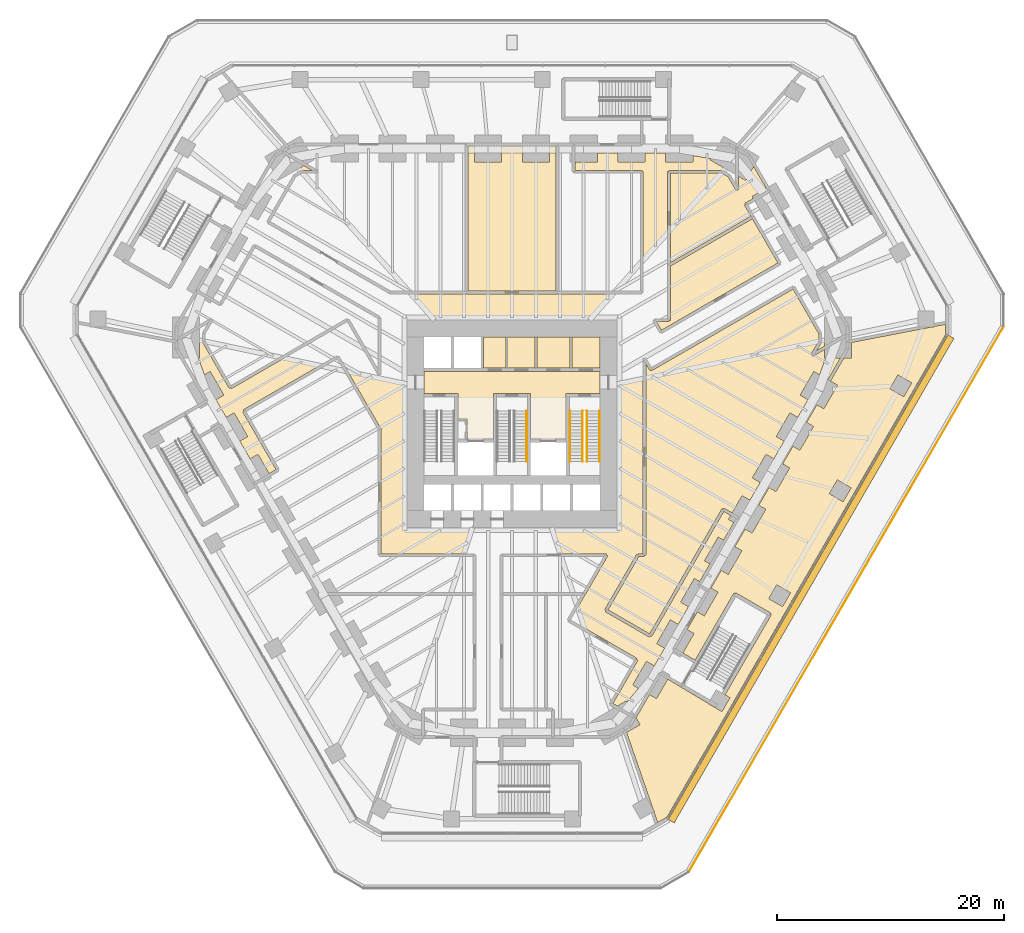
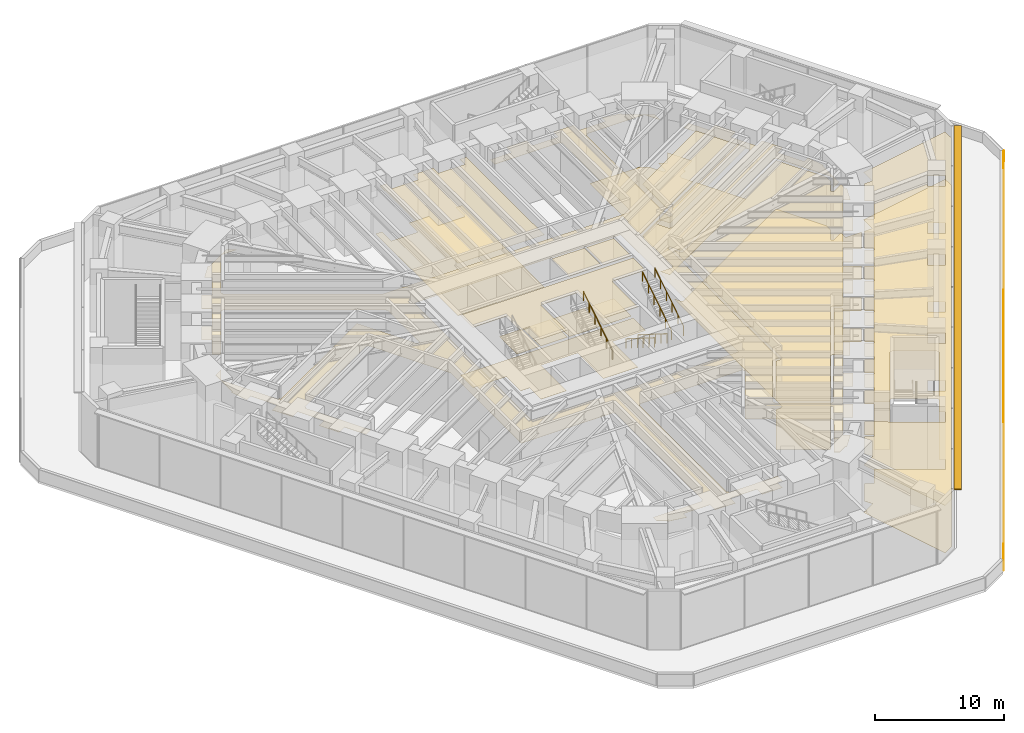
# One storey, part 23 of 24: 19 coverings, 5 railings, 1 shading device.
"""IFC4 building model written with IfcOpenShell, lengths in metres."""

from ifc_helpers import new_model, si_unit, direction, frame, frame_2d, origin, origin_2d, place, context, subcontext, project, spatial, polyline, rectangle, circle, outline, extrude, material, layer, layer_set, type_object, element, save


model = new_model("IFC4")

# Units and contexts
model_context = context("Model", 3, precision=1e-05, world=origin(), true_north=direction((0.0, 1.0)))
body_context = subcontext(model_context, "Body", "Model", "MODEL_VIEW")
ifc_project = project(units=[si_unit("LENGTHUNIT", "METRE"), si_unit("AREAUNIT", "SQUARE_METRE"), si_unit("VOLUMEUNIT", "CUBIC_METRE"), si_unit("PLANEANGLEUNIT", "RADIAN"), si_unit("MASSUNIT", "GRAM", prefix="KILO")], contexts=[model_context])

# Site, building, storey
site_placement = place(None, origin())
site = spatial("IfcSite", under=ifc_project, at=site_placement, CompositionType="ELEMENT")
building_placement = place(site_placement, origin())
building = spatial("IfcBuilding", under=site, at=building_placement, Name="Sandreach Pilgrim Tower", CompositionType="ELEMENT")
storey_placement = place(building_placement, frame((0.0, 0.0, 12.0)))
storey = spatial("IfcBuildingStorey", under=building, at=storey_placement, Name="L02", CompositionType="ELEMENT", Elevation=12.0)

# Coverings
ifc_material_1 = material(Name="Acoustic mineral fibre tile ceiling on a suspension grid", Category="mineral")
ifc_layer_1 = layer(ifc_material_1, 0.02001953125)
ifc_layer_set_1 = layer_set([ifc_layer_1], Name="Acoustic mineral tile ceiling")
covering_type_1 = type_object("IfcCoveringType", Name="Acoustic mineral tile ceiling", PredefinedType="CEILING", material=ifc_layer_set_1)
covering_1_placement = place(storey_placement, frame((0.0, 0.0, 4.60009765625)))
element("IfcCovering", 1, at=covering_1_placement, inside=storey, type_object=covering_type_1, Name="Ceiling 02C Upper prayer foyer", PredefinedType="CEILING", context=body_context, shape_type="SweptSolid", body=[
    extrude(outline(polyline([(-27.5126953125, 4.26220703125), (-27.5126953125, 6.868896484375), (-26.77490234375, 7.2958984375), (-27.489990234375, 6.067138671875), (-24.908203125, 1.587646484375), (-24.800048828125, 1.64990234375), (-24.737548828125, 1.541748046875), (-14.505859375, 7.44921875), (-11.7783203125, 2.717529296875), (-11.544921875, 2.780029296875), (-11.544921875, 7.7900390625), (-11.670166015625, 7.7900390625), (-11.607666015625, 7.898193359375), (-22.617431640625, 14.248291015625), (-22.679931640625, 14.14013671875), (-22.7880859375, 14.20263671875), (-25.725830078125, 9.12060546875), (-26.342041015625, 9.476318359375), (-25.370849609375, 11.157958984375), (-26.063720703125, 11.55810546875), (-25.152587890625, 13.13623046875), (-24.459716796875, 12.736328125), (-23.259765625, 14.814697265625), (-23.95263671875, 15.214599609375), (-23.04150390625, 16.79296875), (-22.3486328125, 16.392822265625), (-21.148681640625, 18.47119140625), (-21.654541015625, 18.763427734375), (-20.623291015625, 19.99609375), (-20.565185546875, 19.8955078125), (-18.325439453125, 21.188720703125), (-17.607421875, 20.77490234375), (-18.994384765625, 20.77490234375), (-21.588134765625, 16.282470703125), (-21.47998046875, 16.219970703125), (-21.54248046875, 16.11181640625), (-10.763427734375, 9.89501953125), (11.429931640625, 9.89501953125), (11.429931640625, 10.02001953125), (11.554931640625, 10.02001953125), (11.554931640625, 20.64990234375), (11.429931640625, 20.64990234375), (11.429931640625, 20.77490234375), (5.554931640625, 20.77490234375), (5.554931640625, 21.48876953125), (7.514892578125, 21.48876953125), (7.514892578125, 22.288818359375), (9.32470703125, 22.288818359375), (9.32470703125, 21.48876953125), (11.724853515625, 21.48876953125), (11.724853515625, 22.288818359375), (13.53466796875, 22.288818359375), (13.53466796875, 21.48876953125), (15.934814453125, 21.48876953125), (15.934814453125, 22.072265625), (17.505859375, 21.796875), (17.447509765625, 21.695556640625), (19.69775390625, 20.396484375), (19.702392578125, 19.55029296875), (18.993896484375, 20.77490234375), (13.830078125, 20.77490234375), (13.830078125, 20.64990234375), (13.705078125, 20.64990234375), (13.705078125, 7.695068359375), (12.5, 7.695068359375), (12.5, 7.570068359375), (12.391845703125, 7.507080078125), (13.001953125, 6.457275390625), (13.111328125, 6.517822265625), (13.172607421875, 6.411865234375), (23.652587890625, 12.461669921875), (23.590087890625, 12.570068359375), (23.6982421875, 12.632568359375), (20.760498046875, 17.714111328125), (21.379638671875, 18.0712890625), (22.3486328125, 16.392822265625), (23.04150390625, 16.79296875), (23.95263671875, 15.214599609375), (23.259765625, 14.814697265625), (24.459716796875, 12.736328125), (25.152587890625, 13.13623046875), (26.063720703125, 11.55810546875), (25.370849609375, 11.157958984375), (26.571044921875, 9.07958984375), (27.076904296875, 9.37158203125), (27.628662109375, 7.862060546875), (27.5126953125, 7.862060546875), (27.5126953125, 5.280029296875), (26.793701171875, 4.863525390625), (27.48974609375, 6.064208984375), (24.898193359375, 10.552490234375), (24.7900390625, 10.489990234375), (24.7275390625, 10.598388671875), (12.275390625, 3.410400390625), (11.778076171875, 4.262939453125), (11.544921875, 4.199951171875), (11.544921875, -12.9951171875), (11.10009765625, -12.9951171875), (11.10009765625, -13.131591796875), (10.9716796875, -13.0576171875), (8.171630859375, -17.91748046875), (8.280029296875, -17.97998046875), (8.2177734375, -18.08837890625), (12.107666015625, -20.328369140625), (12.169921875, -20.219970703125), (12.2783203125, -20.282470703125), (18.64599609375, -9.26025390625), (19.2626953125, -9.613525390625), (19.062255859375, -9.960693359375), (19.53759765625, -10.235107421875), (18.632568359375, -11.802490234375), (18.1572265625, -11.528076171875), (16.957275390625, -13.6064453125), (17.432373046875, -13.880859375), (16.52734375, -15.4482421875), (16.05224609375, -15.174072265625), (14.852294921875, -17.25244140625), (15.545166015625, -17.65234375), (14.64013671875, -19.219970703125), (13.947265625, -18.81982421875), (12.747314453125, -20.8984375), (13.440185546875, -21.29833984375), (12.53515625, -22.86572265625), (11.842529296875, -22.4658203125), (10.642333984375, -24.544189453125), (11.147705078125, -24.8359375), (10.12353515625, -26.05908203125), (10.065185546875, -25.957763671875), (9.283447265625, -26.4091796875), (8.8798828125, -26.175537109375), (11.078369140625, -22.362548828125), (10.951904296875, -22.28955078125), (11.00244140625, -22.20166015625), (5.14111328125, -18.814453125), (6.439453125, -16.583251953125), (6.452880859375, -16.5908203125), (8.418212890625, -13.182373046875), (8.31005859375, -13.1201171875), (8.31005859375, -12.9951171875), (-0.909912109375, -12.9951171875), (-0.909912109375, -13.1201171875), (-1.034912109375, -13.1201171875), (-1.034912109375, -26.7099609375), (-0.9111328125, -26.7099609375), (-0.909423828125, -26.8349609375), (3.485107421875, -26.81494140625), (3.485107421875, -27.55078125), (3.022216796875, -27.55078125), (3.022216796875, -28.350830078125), (1.199951171875, -28.350830078125), (1.199951171875, -27.55078125), (-1.199951171875, -27.55078125), (-1.199951171875, -28.350830078125), (-3.022216796875, -28.350830078125), (-3.022216796875, -27.55078125), (-5.42236328125, -27.55078125), (-5.42236328125, -28.135009765625), (-7.00537109375, -27.858154296875), (-6.947509765625, -27.7578125), (-7.705078125, -27.3203125), (-7.705078125, -26.815673828125), (-3.310546875, -26.8349609375), (-3.31005859375, -26.7099609375), (-3.18505859375, -26.7099609375), (-3.18505859375, -13.1201171875), (-3.31005859375, -13.1201171875), (-3.31005859375, -12.9951171875), (-11.544921875, -12.9951171875), (-11.544921875, -1.986572265625), (-15.231689453125, 4.402587890625), (-15.340087890625, 4.340087890625), (-15.402587890625, 4.4482421875), (-23.66259765625, -0.32177734375), (-23.60009765625, -0.429931640625), (-23.708251953125, -0.492431640625), (-20.770751953125, -5.57421875), (-21.388916015625, -5.930908203125), (-22.3671875, -4.236328125), (-23.06005859375, -4.63623046875), (-23.965087890625, -3.06884765625), (-23.272216796875, -2.6689453125), (-24.47216796875, -0.59033203125), (-25.1650390625, -0.990478515625), (-26.070068359375, 0.5771484375), (-25.377197265625, 0.97705078125), (-26.5771484375, 3.055419921875), (-27.08251953125, 2.763671875), (-27.629638671875, 4.26220703125), (-27.5126953125, 4.26220703125)]), holes=[polyline([(9.27001953125, -10.719970703125), (9.27001953125, 7.6201171875), (-9.27001953125, 7.6201171875), (-9.27001953125, -10.719970703125), (9.27001953125, -10.719970703125)])]), origin(), (0.0, 0.0, 1.0), 0.02001953125),
])
ifc_material_2 = material(Name="Nylon carpet tile on the slab", Category="textile")
ifc_layer_2 = layer(ifc_material_2, 0.008056640625)
ifc_layer_set_2 = layer_set([ifc_layer_2], Name="Carpet tile")
covering_type_2 = type_object("IfcCoveringType", Name="Carpet tile", PredefinedType="FLOORING", material=ifc_layer_set_2)
covering_2_placement = place(storey_placement, origin())
element("IfcCovering", 2, at=covering_2_placement, inside=storey, type_object=covering_type_2, Name="Floor finish 0203 Study room", PredefinedType="FLOORING", context=body_context, shape_type="SweptSolid", body=[
    extrude(outline(polyline([(12.487548828125, -35.6796875), (12.514404296875, -35.664306640625), (12.4345703125, -35.5263671875), (10.0849609375, -28.717529296875), (11.26513671875, -28.0361328125), (10.9169921875, -27.43310546875), (12.101806640625, -25.38671875), (12.720947265625, -25.744140625), (13.71142578125, -24.028564453125), (17.284912109375, -26.16357421875), (17.2744140625, -26.181884765625), (18.48681640625, -26.8818359375), (19.186767578125, -25.66943359375), (18.751953125, -25.418212890625), (22.805419921875, -18.397216796875), (22.7626953125, -18.37255859375), (22.81201171875, -18.28564453125), (22.7255859375, -18.235595703125), (22.75048828125, -18.1923828125), (19.719482421875, -16.4423828125), (19.6943359375, -16.485595703125), (19.60791015625, -16.435546875), (19.55712890625, -16.521728515625), (19.5146484375, -16.497314453125), (16.126708984375, -22.365234375), (15.037109375, -21.732421875), (16.02587890625, -20.019775390625), (15.409423828125, -19.6640625), (16.315185546875, -18.096923828125), (16.930908203125, -18.452392578125), (18.130859375, -16.3740234375), (17.51611328125, -16.01904296875), (18.4208984375, -14.45166015625), (19.03564453125, -14.806640625), (20.23583984375, -12.72802734375), (19.620849609375, -12.373046875), (20.525634765625, -10.8056640625), (21.140625, -11.16064453125), (22.3408203125, -9.082275390625), (21.7255859375, -8.72705078125), (22.63037109375, -7.159423828125), (23.24560546875, -7.5146484375), (24.445556640625, -5.436279296875), (23.830322265625, -5.0810546875), (24.735107421875, -3.513427734375), (25.3505859375, -3.868896484375), (26.550537109375, -1.790283203125), (25.93505859375, -1.43505859375), (26.83984375, 0.132568359375), (27.45556640625, -0.222900390625), (28.655517578125, 1.85546875), (28.039794921875, 2.211181640625), (29.223876953125, 4.26220703125), (29.91259765625, 4.26220703125), (29.91259765625, 5.62451171875), (37.01123046875, 6.994384765625), (37.143310546875, 6.994384765625), (37.143310546875, 7.019775390625), (38.156982421875, 7.21533203125), (38.156982421875, 6.267822265625), (13.650390625, -36.1787109375), (12.824462890625, -36.655517578125), (12.487548828125, -35.6796875)]), holes=[polyline([(34.490966796875, 0.83837890625), (35.191162109375, 2.051025390625), (33.978515625, 2.7509765625), (33.278564453125, 1.53857421875), (34.490966796875, 0.83837890625)]), polyline([(29.856201171875, -7.189208984375), (28.643798828125, -6.4892578125), (27.94384765625, -7.70166015625), (29.15625, -8.401611328125), (29.856201171875, -7.189208984375)]), polyline([(24.521484375, -16.42919921875), (23.30908203125, -15.729248046875), (22.609130859375, -16.941650390625), (23.821533203125, -17.6416015625), (24.521484375, -16.42919921875)])]), origin(), (0.0, 0.0, 1.0), 0.008056640625),
])
covering_3_placement = place(storey_placement, origin())
element("IfcCovering", 3, at=covering_3_placement, inside=storey, type_object=covering_type_2, Name="Floor finish 02R1 Quran study office", PredefinedType="FLOORING", context=body_context, shape_type="SweptSolid", body=[
    extrude(outline(polyline([(3.875, 10.14501953125), (-3.875, 10.14501953125), (-3.875, 22.925048828125), (-3.304931640625, 22.925048828125), (-3.304931640625, 21.48876953125), (-0.905029296875, 21.48876953125), (-0.905029296875, 22.925048828125), (0.905029296875, 22.925048828125), (0.905029296875, 21.48876953125), (3.304931640625, 21.48876953125), (3.304931640625, 22.925048828125), (3.875, 22.925048828125), (3.875, 10.14501953125)])), origin(), (0.0, 0.0, 1.0), 0.008056640625),
])
covering_4_placement = place(storey_placement, origin())
element("IfcCovering", 4, at=covering_4_placement, inside=storey, type_object=covering_type_2, Name="Floor finish 02B6 Women's waiting lounge", PredefinedType="FLOORING", context=body_context, shape_type="SweptSolid", body=[
    extrude(outline(polyline([(11.635009765625, -13.1201171875), (11.794921875, -13.1201171875), (11.794921875, 3.737548828125), (12.1220703125, 3.177001953125), (12.29248046875, 3.1318359375), (24.744140625, 10.3193359375), (27.014892578125, 6.386474609375), (27.014892578125, 5.74365234375), (26.341796875, 4.582763671875), (26.5126953125, 4.411865234375), (27.5126953125, 4.9912109375), (27.5126953125, 4.26220703125), (28.93505859375, 4.26220703125), (27.8232421875, 2.336181640625), (26.5771484375, 3.055419921875), (25.377197265625, 0.97705078125), (26.623291015625, 0.257568359375), (25.718505859375, -1.31005859375), (24.47216796875, -0.59033203125), (23.272216796875, -2.6689453125), (24.5185546875, -3.388427734375), (23.61376953125, -4.9560546875), (22.3671875, -4.236328125), (21.167236328125, -6.314697265625), (22.413818359375, -7.034423828125), (21.509033203125, -8.60205078125), (20.26220703125, -7.882080078125), (19.3876953125, -9.39697265625), (18.662109375, -8.9814453125), (18.601318359375, -9.087890625), (18.49169921875, -9.027587890625), (12.124267578125, -20.04931640625), (8.45068359375, -17.93408203125), (11.15234375, -13.2451171875), (11.635009765625, -13.2451171875), (11.635009765625, -13.1201171875)])), origin(), (0.0, 0.0, 1.0), 0.008056640625),
])
covering_5_placement = place(storey_placement, origin())
element("IfcCovering", 5, at=covering_5_placement, inside=storey, type_object=covering_type_2, Name="Floor finish 02N1 Quran study room", PredefinedType="FLOORING", context=body_context, shape_type="SweptSolid", body=[
    extrude(outline(polyline([(13.830078125, 7.570068359375), (13.955078125, 7.570068359375), (13.955078125, 12.347900390625), (21.16748046875, 16.51123046875), (23.419189453125, 12.61572265625), (13.155517578125, 6.690673828125), (12.71728515625, 7.445068359375), (13.830078125, 7.445068359375), (13.830078125, 7.570068359375)])), origin(), (0.0, 0.0, 1.0), 0.008056640625),
])
covering_6_placement = place(storey_placement, origin())
element("IfcCovering", 6, at=covering_6_placement, inside=storey, type_object=covering_type_2, Name="Floor finish 02FL Fire service lift lobby", PredefinedType="FLOORING", context=body_context, shape_type="SweptSolid", body=[
    extrude(outline(polyline([(-3.949951171875, -1.125), (-4.75, -1.125), (-4.75, 1.10009765625), (-7.75, 1.10009765625), (-7.75, 3.050048828125), (7.75, 3.050048828125), (7.75, 1.10009765625), (4.75, 1.10009765625), (4.75, -2.89990234375), (1.64990234375, -2.89990234375), (1.64990234375, 1.10009765625), (-1.64990234375, 1.10009765625), (-1.64990234375, -2.89990234375), (-3.949951171875, -2.89990234375), (-3.949951171875, -1.125)])), origin(), (0.0, 0.0, 1.0), 0.008056640625),
])
covering_7_placement = place(storey_placement, origin())
element("IfcCovering", 7, at=covering_7_placement, inside=storey, type_object=covering_type_2, Name="Floor finish 02K3 Storage room", PredefinedType="FLOORING", context=body_context, shape_type="SweptSolid", body=[
    extrude(outline(polyline([(2.1875, 6.10009765625), (5.112548828125, 6.10009765625), (5.112548828125, 3.35009765625), (2.1875, 3.35009765625), (2.1875, 6.10009765625)])), origin(), (0.0, 0.0, 1.0), 0.008056640625),
])
covering_8_placement = place(storey_placement, origin())
element("IfcCovering", 8, at=covering_8_placement, inside=storey, type_object=covering_type_2, Name="Floor finish 02K4 Refuse room", PredefinedType="FLOORING", context=body_context, shape_type="SweptSolid", body=[
    extrude(outline(polyline([(5.262451171875, 6.10009765625), (7.75, 6.10009765625), (7.75, 3.35009765625), (5.262451171875, 3.35009765625), (5.262451171875, 6.10009765625)])), origin(), (0.0, 0.0, 1.0), 0.008056640625),
])
ifc_material_3 = material(Name="Epoxy resin floor on the slab", Category="plastic")
ifc_layer_3 = layer(ifc_material_3, 0.00390625)
ifc_layer_set_3 = layer_set([ifc_layer_3], Name="Epoxy resin floor")
covering_type_3 = type_object("IfcCoveringType", Name="Epoxy resin floor", PredefinedType="FLOORING", material=ifc_layer_set_3)
covering_9_placement = place(storey_placement, origin())
element("IfcCovering", 9, at=covering_9_placement, inside=storey, type_object=covering_type_3, Name="Floor finish 02B1 Shoe store", PredefinedType="FLOORING", context=body_context, shape_type="SweptSolid", body=[
    extrude(outline(polyline([(19.955078125, 19.080810546875), (19.948486328125, 20.251708984375), (20.565185546875, 19.8955078125), (21.273193359375, 21.121826171875), (22.392578125, 19.189453125), (21.148681640625, 18.47119140625), (21.254638671875, 18.287841796875), (20.525390625, 17.866943359375), (20.562744140625, 17.744384765625), (20.481689453125, 17.69775390625), (21.03955078125, 16.725830078125), (13.955078125, 12.636474609375), (13.955078125, 20.52490234375), (18.476318359375, 20.52490234375), (19.03857421875, 20.198486328125), (19.721923828125, 19.017333984375), (19.955078125, 19.080810546875)])), origin(), (0.0, 0.0, 1.0), 0.00390625),
])
covering_10_placement = place(storey_placement, origin())
element("IfcCovering", 10, at=covering_10_placement, inside=storey, type_object=covering_type_3, Name="Floor finish 02K1 Back of house store", PredefinedType="FLOORING", context=body_context, shape_type="SweptSolid", body=[
    extrude(outline(polyline([(-2.5, 6.10009765625), (-0.52490234375, 6.10009765625), (-0.52490234375, 3.35009765625), (-2.5, 3.35009765625), (-2.5, 6.10009765625)])), origin(), (0.0, 0.0, 1.0), 0.00390625),
])
covering_11_placement = place(storey_placement, origin())
element("IfcCovering", 11, at=covering_11_placement, inside=storey, type_object=covering_type_3, Name="Floor finish 02K2 Cleaners store", PredefinedType="FLOORING", context=body_context, shape_type="SweptSolid", body=[
    extrude(outline(polyline([(-0.375, 6.10009765625), (2.03759765625, 6.10009765625), (2.03759765625, 3.35009765625), (-0.375, 3.35009765625), (-0.375, 6.10009765625)])), origin(), (0.0, 0.0, 1.0), 0.00390625),
])
ifc_material_4 = material(Name="Gypsum board suspended ceiling on a steel grid", Category="steel")
ifc_layer_4 = layer(ifc_material_4, 0.012939453125)
ifc_layer_set_4 = layer_set([ifc_layer_4], Name="Gypsum board suspended ceiling")
covering_type_4 = type_object("IfcCoveringType", Name="Gypsum board suspended ceiling", PredefinedType="CEILING", material=ifc_layer_set_4)
covering_12_placement = place(storey_placement, frame((0.0, 0.0, 4.5)))
element("IfcCovering", 12, at=covering_12_placement, inside=storey, type_object=covering_type_4, Name="Ceiling 0203 Study room", PredefinedType="CEILING", context=body_context, shape_type="SweptSolid", body=[
    extrude(outline(polyline([(12.487548828125, -35.6796875), (12.514404296875, -35.664306640625), (12.4345703125, -35.5263671875), (10.0849609375, -28.717529296875), (11.26513671875, -28.0361328125), (10.9169921875, -27.43310546875), (12.101806640625, -25.38671875), (12.720947265625, -25.744140625), (13.71142578125, -24.028564453125), (17.284912109375, -26.16357421875), (17.2744140625, -26.181884765625), (18.48681640625, -26.8818359375), (19.186767578125, -25.66943359375), (18.751953125, -25.418212890625), (22.805419921875, -18.397216796875), (22.7626953125, -18.37255859375), (22.81201171875, -18.28564453125), (22.7255859375, -18.235595703125), (22.75048828125, -18.1923828125), (19.719482421875, -16.4423828125), (19.6943359375, -16.485595703125), (19.60791015625, -16.435546875), (19.55712890625, -16.521728515625), (19.5146484375, -16.497314453125), (16.126708984375, -22.365234375), (15.037109375, -21.732421875), (16.02587890625, -20.019775390625), (15.409423828125, -19.6640625), (16.315185546875, -18.096923828125), (16.930908203125, -18.452392578125), (18.130859375, -16.3740234375), (17.51611328125, -16.01904296875), (18.4208984375, -14.45166015625), (19.03564453125, -14.806640625), (20.23583984375, -12.72802734375), (19.620849609375, -12.373046875), (20.525634765625, -10.8056640625), (21.140625, -11.16064453125), (22.3408203125, -9.082275390625), (21.7255859375, -8.72705078125), (22.63037109375, -7.159423828125), (23.24560546875, -7.5146484375), (24.445556640625, -5.436279296875), (23.830322265625, -5.0810546875), (24.735107421875, -3.513427734375), (25.3505859375, -3.868896484375), (26.550537109375, -1.790283203125), (25.93505859375, -1.43505859375), (26.83984375, 0.132568359375), (27.45556640625, -0.222900390625), (28.655517578125, 1.85546875), (28.039794921875, 2.211181640625), (29.223876953125, 4.26220703125), (29.91259765625, 4.26220703125), (29.91259765625, 5.62451171875), (37.01123046875, 6.994384765625), (37.143310546875, 6.994384765625), (37.143310546875, 7.019775390625), (38.156982421875, 7.21533203125), (38.156982421875, 6.267822265625), (13.650390625, -36.1787109375), (12.824462890625, -36.655517578125), (12.487548828125, -35.6796875)]), holes=[polyline([(35.191162109375, 2.051025390625), (33.978515625, 2.7509765625), (33.278564453125, 1.53857421875), (34.490966796875, 0.83837890625), (35.191162109375, 2.051025390625)]), polyline([(29.15625, -8.401611328125), (29.856201171875, -7.189208984375), (28.643798828125, -6.4892578125), (27.94384765625, -7.70166015625), (29.15625, -8.401611328125)]), polyline([(24.521484375, -16.42919921875), (23.30908203125, -15.729248046875), (22.609130859375, -16.941650390625), (23.821533203125, -17.6416015625), (24.521484375, -16.42919921875)])]), origin(), (0.0, 0.0, 1.0), 0.012939453125),
])
covering_13_placement = place(storey_placement, frame((0.0, 0.0, 4.949951171875)))
element("IfcCovering", 13, at=covering_13_placement, inside=storey, type_object=covering_type_4, Name="Ceiling 02R1 Quran study office", PredefinedType="CEILING", context=body_context, shape_type="SweptSolid", body=[
    extrude(outline(polyline([(0.905029296875, 21.48876953125), (3.304931640625, 21.48876953125), (3.304931640625, 22.288818359375), (3.875, 22.288818359375), (3.875, 10.14501953125), (-3.875, 10.14501953125), (-3.875, 22.288818359375), (-3.304931640625, 22.288818359375), (-3.304931640625, 21.48876953125), (-0.905029296875, 21.48876953125), (-0.905029296875, 22.288818359375), (0.905029296875, 22.288818359375), (0.905029296875, 21.48876953125)])), origin(), (0.0, 0.0, 1.0), 0.012939453125),
])
covering_14_placement = place(storey_placement, frame((0.0, 0.0, 4.60009765625)))
element("IfcCovering", 14, at=covering_14_placement, inside=storey, type_object=covering_type_4, Name="Ceiling 02B6 Women's waiting lounge", PredefinedType="CEILING", context=body_context, shape_type="SweptSolid", body=[
    extrude(outline(polyline([(11.635009765625, -13.1201171875), (11.794921875, -13.1201171875), (11.794921875, 3.737548828125), (12.1220703125, 3.177001953125), (12.29248046875, 3.1318359375), (24.744140625, 10.3193359375), (27.014892578125, 6.386474609375), (27.014892578125, 5.74365234375), (26.341796875, 4.582763671875), (26.5126953125, 4.411865234375), (27.5126953125, 4.9912109375), (27.5126953125, 4.26220703125), (27.629638671875, 4.26220703125), (27.08251953125, 2.763671875), (26.5771484375, 3.055419921875), (25.377197265625, 0.97705078125), (26.070068359375, 0.5771484375), (25.1650390625, -0.990478515625), (24.47216796875, -0.59033203125), (23.272216796875, -2.6689453125), (23.965087890625, -3.06884765625), (23.06005859375, -4.63623046875), (22.3671875, -4.236328125), (21.167236328125, -6.314697265625), (21.860107421875, -6.71484375), (20.955078125, -8.2822265625), (20.26220703125, -7.882080078125), (19.3876953125, -9.39697265625), (18.662109375, -8.9814453125), (18.601318359375, -9.087890625), (18.49169921875, -9.027587890625), (12.124267578125, -20.04931640625), (8.45068359375, -17.93408203125), (11.15234375, -13.2451171875), (11.635009765625, -13.2451171875), (11.635009765625, -13.1201171875)])), origin(), (0.0, 0.0, 1.0), 0.012939453125),
])
covering_15_placement = place(storey_placement, frame((0.0, 0.0, 4.89990234375)))
element("IfcCovering", 15, at=covering_15_placement, inside=storey, type_object=covering_type_4, Name="Ceiling 02N1 Quran study room", PredefinedType="CEILING", context=body_context, shape_type="SweptSolid", body=[
    extrude(outline(polyline([(13.830078125, 7.570068359375), (13.955078125, 7.570068359375), (13.955078125, 12.347900390625), (21.16748046875, 16.51123046875), (23.419189453125, 12.61572265625), (13.155517578125, 6.690673828125), (12.71728515625, 7.445068359375), (13.830078125, 7.445068359375), (13.830078125, 7.570068359375)])), origin(), (0.0, 0.0, 1.0), 0.01318359375),
])
covering_16_placement = place(storey_placement, frame((0.0, 0.0, 5.699951171875)))
element("IfcCovering", 16, at=covering_16_placement, inside=storey, type_object=covering_type_4, Name="Ceiling 02FL Fire service lift lobby", PredefinedType="CEILING", context=body_context, shape_type="SweptSolid", body=[
    extrude(outline(polyline([(-3.949951171875, -1.125), (-4.75, -1.125), (-4.75, 1.10009765625), (-7.75, 1.10009765625), (-7.75, 3.050048828125), (7.75, 3.050048828125), (7.75, 1.10009765625), (4.75, 1.10009765625), (4.75, -2.89990234375), (1.64990234375, -2.89990234375), (1.64990234375, 1.10009765625), (-1.64990234375, 1.10009765625), (-1.64990234375, -2.89990234375), (-3.949951171875, -2.89990234375), (-3.949951171875, -1.125)])), origin(), (0.0, 0.0, 1.0), 0.012939453125),
])
covering_17_placement = place(storey_placement, frame((0.0, 0.0, 5.699951171875)))
element("IfcCovering", 17, at=covering_17_placement, inside=storey, type_object=covering_type_4, Name="Ceiling 02K3 Storage room", PredefinedType="CEILING", context=body_context, shape_type="SweptSolid", body=[
    extrude(outline(polyline([(2.1875, 6.10009765625), (5.112548828125, 6.10009765625), (5.112548828125, 3.35009765625), (2.1875, 3.35009765625), (2.1875, 6.10009765625)])), origin(), (0.0, 0.0, 1.0), 0.012939453125),
])
covering_18_placement = place(storey_placement, frame((0.0, 0.0, 5.699951171875)))
element("IfcCovering", 18, at=covering_18_placement, inside=storey, type_object=covering_type_4, Name="Ceiling 02K4 Refuse room", PredefinedType="CEILING", context=body_context, shape_type="SweptSolid", body=[
    extrude(outline(polyline([(5.262451171875, 6.10009765625), (7.75, 6.10009765625), (7.75, 3.35009765625), (5.262451171875, 3.35009765625), (5.262451171875, 6.10009765625)])), origin(), (0.0, 0.0, 1.0), 0.012939453125),
])

# Shading device
ifc_material_5 = material(Name="Extruded aluminium sunshade blade, powder coated", Category="aluminium")
ifc_layer_5 = layer(ifc_material_5, 0.10009765625)
ifc_layer_set_5 = layer_set([ifc_layer_5], Name="Podium sunshade 600")
shading_device_type = type_object("IfcShadingDeviceType", Name="Podium sunshade 600", PredefinedType="AWNING", material=ifc_layer_set_5)
shading_device_placement = place(storey_placement, frame((26.336669921875, -15.20556640625, 5.5), z_axis=(0.0, 0.0, 1.0), x_axis=(-0.5, -0.866025403784, 0.0)))
element("IfcShadingDevice", 19, at=shading_device_placement, inside=storey, type_object=shading_device_type, Name="Sunshade L02 SE over SE", PredefinedType="AWNING", context=body_context, shape_type="SweptSolid", body=[
    extrude(rectangle(XDim=49.266845703125, YDim=0.60009765625, at=origin_2d()), origin(), (0.0, 0.0, 1.0), 0.10009765625),
])

# Railings
ifc_material_6 = material(Name="Stainless steel tube", Category="steel")
railing_type = type_object("IfcRailingType", Name="Stair handrail", PredefinedType="HANDRAIL", material=ifc_material_6)
railing_placement = place(storey_placement, frame((1.300048828125, -4.8798828125, 3.176513671875)))
element("IfcRailing", 20, at=railing_placement, inside=storey, type_object=railing_type, Name="Handrail ST3 L02 flight 2", PredefinedType="HANDRAIL", context=body_context, shape_type="SweptSolid", body=[
    extrude(circle(Radius=0.02392578125, at=origin_2d()), frame((0.0, 0.0, 0.8759765625), z_axis=(0.0, 0.845997938375, 0.533186166611), x_axis=(-1.0, 0.0, 0.0)), (0.0, 0.0, 1.0), 5.29541015625),
    extrude(circle(Radius=0.02099609375, at=origin_2d()), origin(), (0.0, 0.0, 1.0), 0.851806640625),
    extrude(circle(Radius=0.02099609375, at=origin_2d()), frame((0.0, 0.89599609375, 0.564697265625)), (0.0, 0.0, 1.0), 0.851806640625),
    extrude(circle(Radius=0.02099609375, at=origin_2d()), frame((0.0, 1.7919921875, 1.12939453125)), (0.0, 0.0, 1.0), 0.851806640625),
    extrude(circle(Radius=0.02099609375, at=origin_2d()), frame((0.0, 2.68798828125, 1.694091796875)), (0.0, 0.0, 1.0), 0.851806640625),
    extrude(circle(Radius=0.02099609375, at=origin_2d()), frame((0.0, 3.583984375, 2.2587890625)), (0.0, 0.0, 1.0), 0.851806640625),
    extrude(circle(Radius=0.02099609375, at=origin_2d()), frame((0.0, 4.47998046875, 2.823486328125)), (0.0, 0.0, 1.0), 0.851806640625),
])
for number, where, name in (
    (21, (6.199951171875, -0.39990234375, 0.176513671875), "Handrail ST2 L02 flight 1"),
    (22, (5.10009765625, -0.39990234375, 0.176513671875), "Handrail ST2 L02 flight 1"),
):
    element("IfcRailing", number, at=place(storey_placement, frame(where)), inside=storey, type_object=railing_type, Name=name, PredefinedType="HANDRAIL", context=body_context, shape_type="SweptSolid", body=[
        extrude(circle(Radius=0.02392578125, at=origin_2d()), frame((0.0, 0.0, 0.8759765625), z_axis=(0.0, -0.845997938375, 0.533186166611), x_axis=(1.0, 0.0, 0.0)), (0.0, 0.0, 1.0), 5.29541015625),
        extrude(circle(Radius=0.02099609375, at=origin_2d()), origin(), (0.0, 0.0, 1.0), 0.851806640625),
        extrude(circle(Radius=0.02099609375, at=origin_2d()), frame((0.0, -0.89599609375, 0.564697265625)), (0.0, 0.0, 1.0), 0.851806640625),
        extrude(circle(Radius=0.02099609375, at=origin_2d()), frame((0.0, -1.7919921875, 1.12939453125)), (0.0, 0.0, 1.0), 0.851806640625),
        extrude(circle(Radius=0.02099609375, at=origin_2d()), frame((0.0, -2.68798828125, 1.694091796875)), (0.0, 0.0, 1.0), 0.851806640625),
        extrude(circle(Radius=0.02099609375, at=origin_2d()), frame((0.0, -3.583984375, 2.2587890625)), (0.0, 0.0, 1.0), 0.851806640625),
        extrude(circle(Radius=0.02099609375, at=origin_2d()), frame((0.0, -4.47998046875, 2.823486328125)), (0.0, 0.0, 1.0), 0.851806640625),
    ])
for number, where, name in (
    (23, (6.60009765625, -4.8798828125, 3.176513671875), "Handrail ST2 L02 flight 2"),
    (24, (7.699951171875, -4.8798828125, 3.176513671875), "Handrail ST2 L02 flight 2"),
):
    element("IfcRailing", number, at=place(storey_placement, frame(where)), inside=storey, type_object=railing_type, Name=name, PredefinedType="HANDRAIL", context=body_context, shape_type="SweptSolid", body=[
        extrude(circle(Radius=0.02392578125, at=origin_2d()), frame((0.0, 0.0, 0.8759765625), z_axis=(0.0, 0.845997938375, 0.533186166611), x_axis=(-1.0, 0.0, 0.0)), (0.0, 0.0, 1.0), 5.29541015625),
        extrude(circle(Radius=0.02099609375, at=origin_2d()), origin(), (0.0, 0.0, 1.0), 0.851806640625),
        extrude(circle(Radius=0.02099609375, at=origin_2d()), frame((0.0, 0.89599609375, 0.564697265625)), (0.0, 0.0, 1.0), 0.851806640625),
        extrude(circle(Radius=0.02099609375, at=origin_2d()), frame((0.0, 1.7919921875, 1.12939453125)), (0.0, 0.0, 1.0), 0.851806640625),
        extrude(circle(Radius=0.02099609375, at=origin_2d()), frame((0.0, 2.68798828125, 1.694091796875)), (0.0, 0.0, 1.0), 0.851806640625),
        extrude(circle(Radius=0.02099609375, at=origin_2d()), frame((0.0, 3.583984375, 2.2587890625)), (0.0, 0.0, 1.0), 0.851806640625),
        extrude(circle(Radius=0.02099609375, at=origin_2d()), frame((0.0, 4.47998046875, 2.823486328125)), (0.0, 0.0, 1.0), 0.851806640625),
    ])

# Covering
ifc_material_7 = material(Name="Terracotta rainscreen panels on aluminium rails", Category="masonry")
ifc_layer_6 = layer(ifc_material_7, 0.050048828125)
ifc_layer_set_6 = layer_set([ifc_layer_6], Name="Terracotta rainscreen cladding 50")
covering_type_5 = type_object("IfcCoveringType", Name="Terracotta rainscreen cladding 50", PredefinedType="CLADDING", material=ifc_layer_set_6)
covering_19_placement = place(storey_placement, frame((15.585205078125, -40.969970703125, 0.0), z_axis=(0.0, 0.0, 1.0), x_axis=(0.500000660882, 0.866025022224, 0.0)))
element("IfcCovering", 25, at=covering_19_placement, inside=storey, type_object=covering_type_5, Name="Rainscreen cladding on setback parapet l02 8", PredefinedType="CLADDING", context=body_context, shape_type="SweptSolid", body=[
    extrude(rectangle(XDim=55.376953125, YDim=0.050048828125, at=frame_2d((27.6884765625, 0.0))), origin(), (0.0, 0.0, 1.0), 1.10009765625),
])

save(model, "model.ifc")
